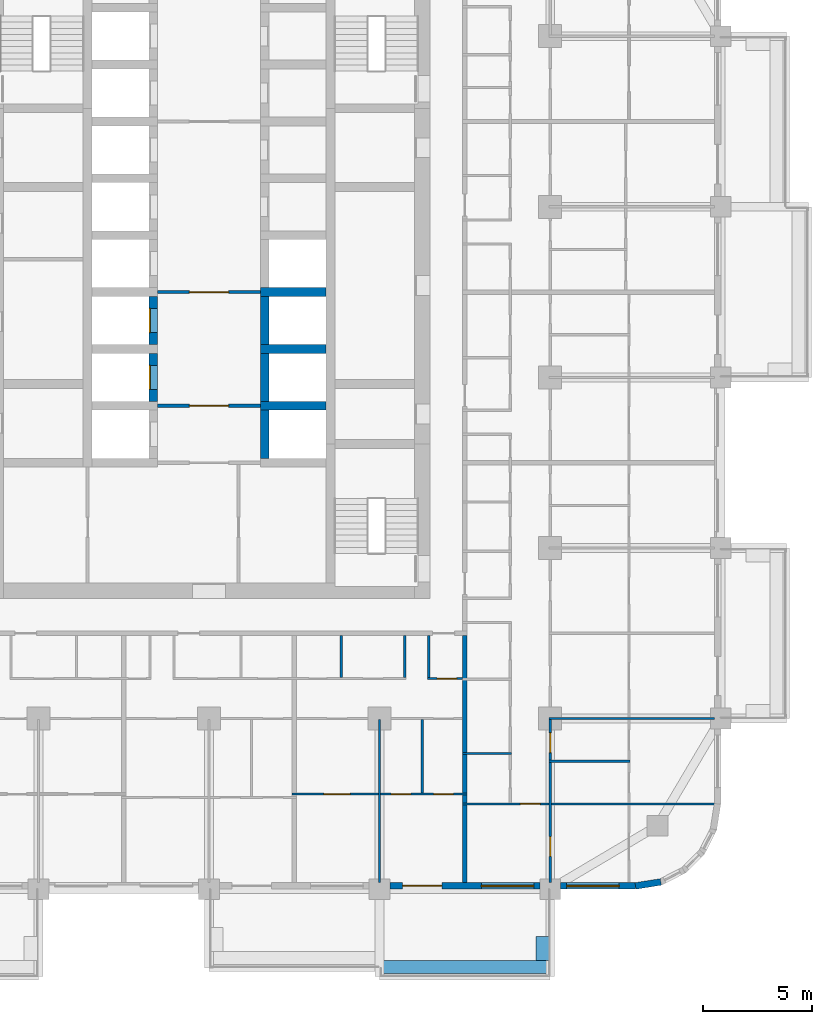
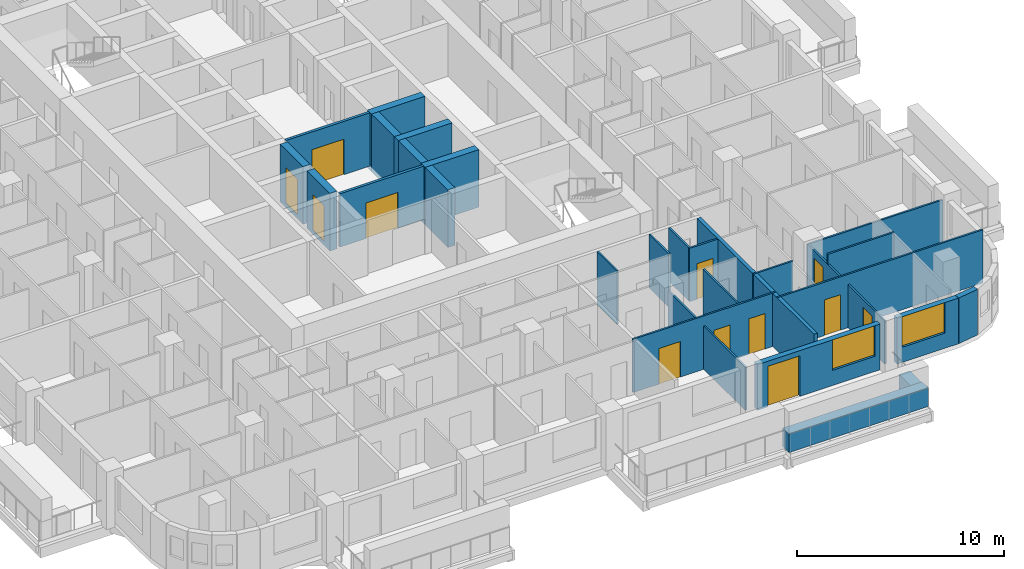
# One storey, part 7 of 18: 28 walls, 12 doors, 2 windows, 14 openings.
"""IFC4 building model written with IfcOpenShell, lengths in metres."""

from ifc_helpers import new_model, si_unit, direction, frame, frame_2d, origin, place, context, subcontext, project, spatial, rectangle, extrude, material, layer, layer_set, type_object, element, fill, save


model = new_model("IFC4")

# Units and contexts
model_context = context("Model", 3, precision=1e-05, world=origin(), true_north=direction((0.0, 1.0)))
body_context = subcontext(model_context, "Body", "Model", "MODEL_VIEW")
ifc_project = project(units=[si_unit("LENGTHUNIT", "METRE"), si_unit("AREAUNIT", "SQUARE_METRE"), si_unit("VOLUMEUNIT", "CUBIC_METRE"), si_unit("PLANEANGLEUNIT", "RADIAN"), si_unit("MASSUNIT", "GRAM", prefix="KILO")], contexts=[model_context])

# Site, building, storey
site_placement = place(None, origin())
site = spatial("IfcSite", under=ifc_project, at=site_placement, CompositionType="ELEMENT")
building_placement = place(site_placement, origin())
building = spatial("IfcBuilding", under=site, at=building_placement, Name="Ludao Terraces", CompositionType="ELEMENT")
storey_placement = place(building_placement, frame((0.0, 0.0, 78.39990234375)))
storey = spatial("IfcBuildingStorey", under=building, at=storey_placement, Name="L21", CompositionType="ELEMENT", Elevation=78.39990234375)

# Walls
ifc_material_1 = material(Name="Concrete C40", Category="concrete")
ifc_layer_1 = layer(ifc_material_1, 0.60009765625)
ifc_layer_set_1 = layer_set([ifc_layer_1], Name="ENV Planter trough 600")
wall_type_1 = type_object("IfcWallType", Name="ENV Planter trough 600", PredefinedType="USERDEFINED", material=ifc_layer_set_1)
wall_1_placement = place(storey_placement, frame((92.800048828125, 38.050048828125, 0.0), z_axis=(0.0, 0.0, 1.0), x_axis=(1.0, 0.0, 0.0)))
element("IfcWall", 1, at=wall_1_placement, inside=storey, type_object=wall_type_1, Name="PL-L21-S4", ObjectType="PLANTER", PredefinedType="USERDEFINED", context=body_context, shape_type="SweptSolid", body=[
    extrude(rectangle(XDim=7.800048828125, YDim=0.60009765625, at=frame_2d((3.89990234375, 0.0))), origin(), (0.0, 0.0, 1.0), 1.10009765625),
])
wall_2_placement = place(storey_placement, frame((100.25, 38.35009765625, 0.0), z_axis=(0.0, 0.0, 1.0), x_axis=(0.0, 1.0, 0.0)))
element("IfcWall", 2, at=wall_2_placement, inside=storey, type_object=wall_type_1, Name="PL-L21-S4-SB", ObjectType="PLANTER", PredefinedType="USERDEFINED", context=body_context, shape_type="SweptSolid", body=[
    extrude(rectangle(XDim=1.099853515625, YDim=0.60009765625, at=frame_2d((0.5498046875, 0.0))), origin(), (0.0, 0.0, 1.0), 1.10009765625),
])

# Wall, openings, door, window
ifc_material_2 = material(Name="Granite cladding", Category="masonry")
ifc_layer_2 = layer(ifc_material_2, 0.0400390625, Category="stone")
ifc_material_3 = material(Name="Mineral wool")
ifc_layer_3 = layer(ifc_material_3, 0.06005859375)
ifc_layer_4 = layer(ifc_material_1, 0.199951171875, Category="concrete")
ifc_layer_set_2 = layer_set([ifc_layer_2, ifc_layer_3, ifc_layer_4], Name="ENV Stone-clad wall 300")
wall_type_2 = type_object("IfcWallType", Name="ENV Stone-clad wall 300", PredefinedType="SOLIDWALL", material=ifc_layer_set_2)
wall_3_placement = place(storey_placement, frame((93.27490234375, 41.75, 0.0), z_axis=(0.0, 0.0, 1.0), x_axis=(1.0, 0.0, 0.0)))
wall_3 = element("IfcWall", 3, at=wall_3_placement, inside=storey, type_object=wall_type_2, Name="EW-L21-S5", PredefinedType="SOLIDWALL", context=body_context, shape_type="SweptSolid", body=[
    extrude(rectangle(XDim=6.85009765625, YDim=0.300048828125, at=frame_2d((3.425048828125, 0.0))), origin(), (0.0, 0.0, 1.0), 2.7001953125),
])
opening_1_placement = place(wall_3_placement, frame((0.574951171875, 0.0, 0.0)))
opening_1 = element("IfcOpeningElement", 4, at=opening_1_placement, cuts=wall_3, Name="Opening BD", PredefinedType="OPENING", context=body_context, shape_type="SweptSolid", body=[
    extrude(rectangle(XDim=1.800048828125, YDim=2.39990234375, at=frame_2d((0.89990234375, 1.199951171875))), frame((0.0, 0.16015625, 0.0), z_axis=(0.0, -1.0, 0.0), x_axis=(1.0, 0.0, 0.0)), (0.0, 0.0, 1.0), 0.320068359375),
])
opening_2_placement = place(wall_3_placement, frame((4.175048828125, 0.0, 0.89990234375)))
opening_2 = element("IfcOpeningElement", 5, at=opening_2_placement, cuts=wall_3, Name="Opening W1", PredefinedType="OPENING", context=body_context, shape_type="SweptSolid", body=[
    extrude(rectangle(XDim=2.39990234375, YDim=1.800048828125, at=frame_2d((1.199951171875, 0.89990234375))), frame((0.0, 0.16015625, 0.0), z_axis=(0.0, -1.0, 0.0), x_axis=(1.0, 0.0, 0.0)), (0.0, 0.0, 1.0), 0.320068359375),
])
ifc_material_4 = material(Name="Aluminium glazed door", Category="aluminium")
ifc_layer_5 = layer(ifc_material_4, 0.06005859375)
ifc_layer_set_3 = layer_set([ifc_layer_5], Name="ENV Balcony door BD 1800x2400")
door_type_1 = type_object("IfcDoorType", Name="ENV Balcony door BD 1800x2400", OperationType="DOUBLE_DOOR_SINGLE_SWING", PredefinedType="DOOR", material=ifc_layer_set_3)
door_1_placement = place(opening_1_placement, origin())
door_1 = element("IfcDoor", 6, at=door_1_placement, inside=storey, type_object=door_type_1, Name="BD-L21-S5-1", OperationType="DOUBLE_DOOR_SINGLE_SWING", OverallHeight=2.39990234375, OverallWidth=1.800048828125, PredefinedType="DOOR", context=body_context, shape_type="SweptSolid", body=[
    extrude(rectangle(XDim=1.800048828125, YDim=2.39990234375, at=frame_2d((0.89990234375, 1.199951171875))), frame((0.0, 0.02490234375, 0.0), z_axis=(0.0, -1.0, 0.0), x_axis=(1.0, 0.0, 0.0)), (0.0, 0.0, 1.0), 0.050048828125),
])
fill(opening_1, door_1)
ifc_material_5 = material(Name="Clear glass in aluminium frame", Category="aluminium")
ifc_layer_6 = layer(ifc_material_5, 0.06005859375)
ifc_layer_set_4 = layer_set([ifc_layer_6], Name="ENV Window W1 2400x1800")
window_type = type_object("IfcWindowType", Name="ENV Window W1 2400x1800", PartitioningType="DOUBLE_PANEL_VERTICAL", PredefinedType="WINDOW", material=ifc_layer_set_4)
window_1_placement = place(opening_2_placement, origin())
window_1 = element("IfcWindow", 7, at=window_1_placement, inside=storey, type_object=window_type, Name="W-L21-S5-2", OverallHeight=1.800048828125, OverallWidth=2.39990234375, PartitioningType="DOUBLE_PANEL_VERTICAL", PredefinedType="WINDOW", context=body_context, shape_type="SweptSolid", body=[
    extrude(rectangle(XDim=2.39990234375, YDim=1.800048828125, at=frame_2d((1.199951171875, 0.89990234375))), frame((0.0, 0.030029296875, 0.0), z_axis=(0.0, -1.0, 0.0), x_axis=(1.0, 0.0, 0.0)), (0.0, 0.0, 1.0), 0.06005859375),
])
fill(opening_2, window_1)

# Wall, opening, window
wall_4_placement = place(storey_placement, frame((101.074951171875, 41.75, 0.0), z_axis=(0.0, 0.0, 1.0), x_axis=(1.0, 0.0, 0.0)))
wall_4 = element("IfcWall", 8, at=wall_4_placement, inside=storey, type_object=wall_type_2, Name="EW-L21-S6", PredefinedType="SOLIDWALL", context=body_context, shape_type="SweptSolid", body=[
    extrude(rectangle(XDim=3.425048828125, YDim=0.300048828125, at=frame_2d((1.71240234375, 0.0))), origin(), (0.0, 0.0, 1.0), 2.7001953125),
])
opening_3_placement = place(wall_4_placement, frame((0.27490234375, 0.0, 0.89990234375)))
opening_3 = element("IfcOpeningElement", 9, at=opening_3_placement, cuts=wall_4, Name="Opening W1", PredefinedType="OPENING", context=body_context, shape_type="SweptSolid", body=[
    extrude(rectangle(XDim=2.39990234375, YDim=1.800048828125, at=frame_2d((1.199951171875, 0.89990234375))), frame((0.0, 0.16015625, 0.0), z_axis=(0.0, -1.0, 0.0), x_axis=(1.0, 0.0, 0.0)), (0.0, 0.0, 1.0), 0.320068359375),
])
window_2_placement = place(opening_3_placement, origin())
window_2 = element("IfcWindow", 10, at=window_2_placement, inside=storey, type_object=window_type, Name="W-L21-S6-1", OverallHeight=1.800048828125, OverallWidth=2.39990234375, PartitioningType="DOUBLE_PANEL_VERTICAL", PredefinedType="WINDOW", context=body_context, shape_type="SweptSolid", body=[
    extrude(rectangle(XDim=2.39990234375, YDim=1.800048828125, at=frame_2d((1.199951171875, 0.89990234375))), frame((0.0, 0.030029296875, 0.0), z_axis=(0.0, -1.0, 0.0), x_axis=(1.0, 0.0, 0.0)), (0.0, 0.0, 1.0), 0.06005859375),
])
fill(opening_3, window_2)

# Wall
wall_5_placement = place(storey_placement, frame((104.5, 41.75, 0.0), z_axis=(0.0, 0.0, 1.0), x_axis=(0.987678452879, 0.156496880861, 0.0)))
element("IfcWall", 11, at=wall_5_placement, inside=storey, type_object=wall_type_2, Name="EW-L21-SE1", PredefinedType="SOLIDWALL", context=body_context, shape_type="SweptSolid", body=[
    extrude(rectangle(XDim=1.173095703125, YDim=0.300048828125, at=frame_2d((0.58642578125, 0.0))), origin(), (0.0, 0.0, 1.0), 2.7001953125),
])

# Wall, opening, door
ifc_material_6 = material(Name="Fire-rated gypsum plasterboard", Category="gypsum")
ifc_layer_7 = layer(ifc_material_6, 0.012451171875, Category="gypsum")
ifc_layer_8 = layer(ifc_material_3, 0.10009765625, Name="insulation")
ifc_material_7 = material(Name="Steel Q235", Category="steel")
ifc_layer_9 = layer(ifc_material_7, 0.02490234375, Name="stud")
ifc_layer_10 = layer(ifc_material_6, 0.012451171875, Category="gypsum")
ifc_layer_set_5 = layer_set([ifc_layer_7, ifc_layer_8, ifc_layer_9, ifc_layer_10], Name="INT Core partition 150")
wall_type_3 = type_object("IfcWallType", Name="INT Core partition 150", PredefinedType="PARTITIONING", material=ifc_layer_set_5)
wall_6_placement = place(storey_placement, frame((82.650146484375, 63.699951171875, 0.0), z_axis=(0.0, 0.0, 1.0), x_axis=(1.0, 0.0, 0.0)))
wall_6 = element("IfcWall", 12, at=wall_6_placement, inside=storey, type_object=wall_type_3, Name="PW-L21-PW039", PredefinedType="PARTITIONING", context=body_context, shape_type="SweptSolid", body=[
    extrude(rectangle(XDim=4.699951171875, YDim=0.14990234375, at=frame_2d((2.35009765625, 0.0))), origin(), (0.0, 0.0, 1.0), 3.150146484375),
])
opening_4_placement = place(wall_6_placement, frame((1.449951171875, 0.0, 0.0)))
opening_4 = element("IfcOpeningElement", 13, at=opening_4_placement, cuts=wall_6, Name="Opening R06-082", PredefinedType="OPENING", context=body_context, shape_type="SweptSolid", body=[
    extrude(rectangle(XDim=1.800048828125, YDim=2.10009765625, at=frame_2d((0.89990234375, 1.050048828125))), frame((0.0, 0.0849609375, 0.0), z_axis=(0.0, -1.0, 0.0), x_axis=(1.0, 0.0, 0.0)), (0.0, 0.0, 1.0), 0.169921875),
])
door_type_2 = type_object("IfcDoorType", Name="INT Fire lobby door 1800", OperationType="DOUBLE_DOOR_SINGLE_SWING", PredefinedType="DOOR", material=ifc_material_7)
door_2_placement = place(opening_4_placement, origin())
door_2 = element("IfcDoor", 14, at=door_2_placement, inside=storey, type_object=door_type_2, Name="DOOR 082", OperationType="DOUBLE_DOOR_SINGLE_SWING", OverallHeight=2.10009765625, OverallWidth=1.800048828125, PredefinedType="DOOR", context=body_context, shape_type="SweptSolid", body=[
    extrude(rectangle(XDim=1.800048828125, YDim=2.10009765625, at=frame_2d((0.89990234375, 1.050048828125))), frame((0.0, 0.02490234375, 0.0), z_axis=(0.0, -1.0, 0.0), x_axis=(1.0, 0.0, 0.0)), (0.0, 0.0, 1.0), 0.050048828125),
])
fill(opening_4, door_2)

wall_7_placement = place(storey_placement, frame((82.650146484375, 68.89990234375, 0.0), z_axis=(0.0, 0.0, 1.0), x_axis=(1.0, 0.0, 0.0)))
wall_7 = element("IfcWall", 15, at=wall_7_placement, inside=storey, type_object=wall_type_3, Name="PW-L21-PW048", PredefinedType="PARTITIONING", context=body_context, shape_type="SweptSolid", body=[
    extrude(rectangle(XDim=4.699951171875, YDim=0.14990234375, at=frame_2d((2.35009765625, 0.0))), origin(), (0.0, 0.0, 1.0), 3.150146484375),
])
opening_5_placement = place(wall_7_placement, frame((1.449951171875, 0.0, 0.0)))
opening_5 = element("IfcOpeningElement", 16, at=opening_5_placement, cuts=wall_7, Name="Opening R06-098", PredefinedType="OPENING", context=body_context, shape_type="SweptSolid", body=[
    extrude(rectangle(XDim=1.800048828125, YDim=2.10009765625, at=frame_2d((0.89990234375, 1.050048828125))), frame((0.0, 0.0849609375, 0.0), z_axis=(0.0, -1.0, 0.0), x_axis=(1.0, 0.0, 0.0)), (0.0, 0.0, 1.0), 0.169921875),
])
door_3_placement = place(opening_5_placement, origin())
door_3 = element("IfcDoor", 17, at=door_3_placement, inside=storey, type_object=door_type_2, Name="DOOR 098", OperationType="DOUBLE_DOOR_SINGLE_SWING", OverallHeight=2.10009765625, OverallWidth=1.800048828125, PredefinedType="DOOR", context=body_context, shape_type="SweptSolid", body=[
    extrude(rectangle(XDim=1.800048828125, YDim=2.10009765625, at=frame_2d((0.89990234375, 1.050048828125))), frame((0.0, 0.02490234375, 0.0), z_axis=(0.0, -1.0, 0.0), x_axis=(1.0, 0.0, 0.0)), (0.0, 0.0, 1.0), 0.050048828125),
])
fill(opening_5, door_3)

ifc_material_8 = material(Name="Gypsum plasterboard", Category="gypsum")
ifc_layer_11 = layer(ifc_material_8, 0.012451171875, Category="gypsum")
ifc_layer_12 = layer(ifc_material_3, 0.06005859375, Name="insulation")
ifc_layer_13 = layer(ifc_material_7, 0.014892578125, Name="stud")
ifc_layer_14 = layer(ifc_material_8, 0.012451171875, Category="gypsum")
ifc_layer_set_6 = layer_set([ifc_layer_11, ifc_layer_12, ifc_layer_13, ifc_layer_14], Name="INT Partition 100")
wall_type_4 = type_object("IfcWallType", Name="INT Partition 100", PredefinedType="PARTITIONING", material=ifc_layer_set_6)
wall_8_placement = place(storey_placement, frame((96.60009765625, 45.5, 0.0), z_axis=(0.0, 0.0, 1.0), x_axis=(1.0, 0.0, 0.0)))
wall_8 = element("IfcWall", 18, at=wall_8_placement, inside=storey, type_object=wall_type_4, Name="PW-L21-PW001", PredefinedType="PARTITIONING", context=body_context, shape_type="SweptSolid", body=[
    extrude(rectangle(XDim=11.5, YDim=0.10009765625, at=frame_2d((5.75, 0.0))), origin(), (0.0, 0.0, 1.0), 3.150146484375),
])
opening_6_placement = place(wall_8_placement, frame((2.635009765625, 0.0, 0.0)))
opening_6 = element("IfcOpeningElement", 19, at=opening_6_placement, cuts=wall_8, Name="Opening R06-006", PredefinedType="OPENING", context=body_context, shape_type="SweptSolid", body=[
    extrude(rectangle(XDim=0.89990234375, YDim=2.10009765625, at=frame_2d((0.449951171875, 1.050048828125))), frame((0.0, 0.06005859375, 0.0), z_axis=(0.0, -1.0, 0.0), x_axis=(1.0, 0.0, 0.0)), (0.0, 0.0, 1.0), 0.1201171875),
])
ifc_material_9 = material(Name="Timber door leaf", Category="wood")
door_type_3 = type_object("IfcDoorType", Name="INT Room door 900", OperationType="SINGLE_SWING_LEFT", PredefinedType="DOOR", material=ifc_material_9)
door_4_placement = place(opening_6_placement, origin())
door_4 = element("IfcDoor", 20, at=door_4_placement, inside=storey, type_object=door_type_3, Name="DOOR 006", OperationType="SINGLE_SWING_RIGHT", OverallHeight=2.10009765625, OverallWidth=0.89990234375, PredefinedType="DOOR", context=body_context, shape_type="SweptSolid", body=[
    extrude(rectangle(XDim=0.89990234375, YDim=2.10009765625, at=frame_2d((0.449951171875, 1.050048828125))), frame((0.0, 0.02490234375, 0.0), z_axis=(0.0, -1.0, 0.0), x_axis=(1.0, 0.0, 0.0)), (0.0, 0.0, 1.0), 0.050048828125),
])
fill(opening_6, door_4)

# Wall, openings, doors
wall_9_placement = place(storey_placement, frame((88.800048828125, 45.949951171875, 0.0), z_axis=(0.0, 0.0, 1.0), x_axis=(1.0, 0.0, 0.0)))
wall_9 = element("IfcWall", 21, at=wall_9_placement, inside=storey, type_object=wall_type_4, Name="PW-L21-PW004", PredefinedType="PARTITIONING", context=body_context, shape_type="SweptSolid", body=[
    extrude(rectangle(XDim=8.0, YDim=0.10009765625, at=frame_2d((4.0, 0.0))), origin(), (0.0, 0.0, 1.0), 3.150146484375),
])
opening_7_placement = place(wall_9_placement, frame((1.449951171875, 0.0, 0.0)))
opening_7 = element("IfcOpeningElement", 22, at=opening_7_placement, cuts=wall_9, Name="Opening R06-013", PredefinedType="OPENING", context=body_context, shape_type="SweptSolid", body=[
    extrude(rectangle(XDim=1.199951171875, YDim=2.10009765625, at=frame_2d((0.60009765625, 1.050048828125))), frame((0.0, 0.06005859375, 0.0), z_axis=(0.0, -1.0, 0.0), x_axis=(1.0, 0.0, 0.0)), (0.0, 0.0, 1.0), 0.1201171875),
])
opening_8_placement = place(wall_9_placement, frame((4.52490234375, 0.0, 0.0)))
opening_8 = element("IfcOpeningElement", 23, at=opening_8_placement, cuts=wall_9, Name="Opening R06-014", PredefinedType="OPENING", context=body_context, shape_type="SweptSolid", body=[
    extrude(rectangle(XDim=0.89990234375, YDim=2.10009765625, at=frame_2d((0.449951171875, 1.050048828125))), frame((0.0, 0.06005859375, 0.0), z_axis=(0.0, -1.0, 0.0), x_axis=(1.0, 0.0, 0.0)), (0.0, 0.0, 1.0), 0.1201171875),
])
opening_9_placement = place(wall_9_placement, frame((6.47509765625, 0.0, 0.0)))
opening_9 = element("IfcOpeningElement", 24, at=opening_9_placement, cuts=wall_9, Name="Opening R06-015", PredefinedType="OPENING", context=body_context, shape_type="SweptSolid", body=[
    extrude(rectangle(XDim=0.89990234375, YDim=2.10009765625, at=frame_2d((0.449951171875, 1.050048828125))), frame((0.0, 0.06005859375, 0.0), z_axis=(0.0, -1.0, 0.0), x_axis=(1.0, 0.0, 0.0)), (0.0, 0.0, 1.0), 0.1201171875),
])
door_type_4 = type_object("IfcDoorType", Name="INT Bathroom door 900", OperationType="SINGLE_SWING_LEFT", PredefinedType="DOOR", material=ifc_material_9)
door_5_placement = place(opening_8_placement, origin())
door_5 = element("IfcDoor", 25, at=door_5_placement, inside=storey, type_object=door_type_4, Name="DOOR 014", OperationType="SINGLE_SWING_LEFT", OverallHeight=2.10009765625, OverallWidth=0.89990234375, PredefinedType="DOOR", context=body_context, shape_type="SweptSolid", body=[
    extrude(rectangle(XDim=0.89990234375, YDim=2.10009765625, at=frame_2d((0.449951171875, 1.050048828125))), frame((0.0, 0.02490234375, 0.0), z_axis=(0.0, -1.0, 0.0), x_axis=(1.0, 0.0, 0.0)), (0.0, 0.0, 1.0), 0.050048828125),
])
fill(opening_8, door_5)
door_type_5 = type_object("IfcDoorType", Name="INT Double door 1200", OperationType="DOUBLE_DOOR_SINGLE_SWING", PredefinedType="DOOR", material=ifc_material_9)
door_6_placement = place(opening_7_placement, origin())
door_6 = element("IfcDoor", 26, at=door_6_placement, inside=storey, type_object=door_type_5, Name="DOOR 013", OperationType="DOUBLE_DOOR_SINGLE_SWING", OverallHeight=2.10009765625, OverallWidth=1.199951171875, PredefinedType="DOOR", context=body_context, shape_type="SweptSolid", body=[
    extrude(rectangle(XDim=1.199951171875, YDim=2.10009765625, at=frame_2d((0.60009765625, 1.050048828125))), frame((0.0, 0.02490234375, 0.0), z_axis=(0.0, -1.0, 0.0), x_axis=(1.0, 0.0, 0.0)), (0.0, 0.0, 1.0), 0.050048828125),
])
fill(opening_7, door_6)
door_7_placement = place(opening_9_placement, origin())
door_7 = element("IfcDoor", 27, at=door_7_placement, inside=storey, type_object=door_type_3, Name="DOOR 015", OperationType="SINGLE_SWING_RIGHT", OverallHeight=2.10009765625, OverallWidth=0.89990234375, PredefinedType="DOOR", context=body_context, shape_type="SweptSolid", body=[
    extrude(rectangle(XDim=0.89990234375, YDim=2.10009765625, at=frame_2d((0.449951171875, 1.050048828125))), frame((0.0, 0.02490234375, 0.0), z_axis=(0.0, -1.0, 0.0), x_axis=(1.0, 0.0, 0.0)), (0.0, 0.0, 1.0), 0.050048828125),
])
fill(opening_9, door_7)

# Walls
wall_10_placement = place(storey_placement, frame((100.550048828125, 47.449951171875, 0.0), z_axis=(0.0, 0.0, 1.0), x_axis=(1.0, 0.0, 0.0)))
element("IfcWall", 28, at=wall_10_placement, inside=storey, type_object=wall_type_4, Name="PW-L21-PW005", PredefinedType="PARTITIONING", context=body_context, shape_type="SweptSolid", body=[
    extrude(rectangle(XDim=3.699951171875, YDim=0.10009765625, at=frame_2d((1.85009765625, 0.0))), origin(), (0.0, 0.0, 1.0), 3.150146484375),
])
wall_11_placement = place(storey_placement, frame((96.60009765625, 47.800048828125, 0.0), z_axis=(0.0, 0.0, 1.0), x_axis=(1.0, 0.0, 0.0)))
element("IfcWall", 29, at=wall_11_placement, inside=storey, type_object=wall_type_4, Name="PW-L21-PW007", PredefinedType="PARTITIONING", context=body_context, shape_type="SweptSolid", body=[
    extrude(rectangle(XDim=2.219970703125, YDim=0.10009765625, at=frame_2d((1.10986328125, 0.0))), origin(), (0.0, 0.0, 1.0), 3.150146484375),
])
wall_12_placement = place(storey_placement, frame((100.550048828125, 49.39990234375, 0.0), z_axis=(0.0, 0.0, 1.0), x_axis=(1.0, 0.0, 0.0)))
element("IfcWall", 30, at=wall_12_placement, inside=storey, type_object=wall_type_4, Name="PW-L21-PW010", PredefinedType="PARTITIONING", context=body_context, shape_type="SweptSolid", body=[
    extrude(rectangle(XDim=7.550048828125, YDim=0.10009765625, at=frame_2d((3.77490234375, 0.0))), origin(), (0.0, 0.0, 1.0), 2.550048828125),
])

# Wall, opening, door
wall_13_placement = place(storey_placement, frame((95.0, 51.22998046875, 0.0), z_axis=(0.0, 0.0, 1.0), x_axis=(1.0, 0.0, 0.0)))
wall_13 = element("IfcWall", 31, at=wall_13_placement, inside=storey, type_object=wall_type_4, Name="PW-L21-PW016", PredefinedType="PARTITIONING", context=body_context, shape_type="SweptSolid", body=[
    extrude(rectangle(XDim=1.60009765625, YDim=0.10009765625, at=frame_2d((0.800048828125, 0.0))), origin(), (0.0, 0.0, 1.0), 3.150146484375),
])
opening_10_placement = place(wall_13_placement, frame((0.425048828125, 0.0, 0.0)))
opening_10 = element("IfcOpeningElement", 32, at=opening_10_placement, cuts=wall_13, Name="Opening R06-041", PredefinedType="OPENING", context=body_context, shape_type="SweptSolid", body=[
    extrude(rectangle(XDim=0.89990234375, YDim=2.10009765625, at=frame_2d((0.449951171875, 1.050048828125))), frame((0.0, 0.06005859375, 0.0), z_axis=(0.0, -1.0, 0.0), x_axis=(1.0, 0.0, 0.0)), (0.0, 0.0, 1.0), 0.1201171875),
])
door_8_placement = place(opening_10_placement, origin())
door_8 = element("IfcDoor", 33, at=door_8_placement, inside=storey, type_object=door_type_4, Name="DOOR 041", OperationType="SINGLE_SWING_LEFT", OverallHeight=2.10009765625, OverallWidth=0.89990234375, PredefinedType="DOOR", context=body_context, shape_type="SweptSolid", body=[
    extrude(rectangle(XDim=0.89990234375, YDim=2.10009765625, at=frame_2d((0.449951171875, 1.050048828125))), frame((0.0, 0.02490234375, 0.0), z_axis=(0.0, -1.0, 0.0), x_axis=(1.0, 0.0, 0.0)), (0.0, 0.0, 1.0), 0.050048828125),
])
fill(opening_10, door_8)

# Walls
wall_14_placement = place(storey_placement, frame((91.050048828125, 51.280029296875, 0.0), z_axis=(0.0, 0.0, 1.0), x_axis=(0.0, 1.0, 0.0)))
element("IfcWall", 34, at=wall_14_placement, inside=storey, type_object=wall_type_4, Name="PW-L21-PW109", PredefinedType="PARTITIONING", context=body_context, shape_type="SweptSolid", body=[
    extrude(rectangle(XDim=1.920166015625, YDim=0.10009765625, at=frame_2d((0.9599609375, 0.0))), origin(), (0.0, 0.0, 1.0), 3.150146484375),
])
wall_15_placement = place(storey_placement, frame((92.800048828125, 41.900146484375, 0.0), z_axis=(0.0, 0.0, 1.0), x_axis=(0.0, 1.0, 0.0)))
element("IfcWall", 35, at=wall_15_placement, inside=storey, type_object=wall_type_4, Name="PW-L21-PW110", PredefinedType="PARTITIONING", context=body_context, shape_type="SweptSolid", body=[
    extrude(rectangle(XDim=7.449951171875, YDim=0.10009765625, at=frame_2d((3.72509765625, 0.0))), origin(), (0.0, 0.0, 1.0), 2.550048828125),
])
wall_16_placement = place(storey_placement, frame((93.949951171875, 51.280029296875, 0.0), z_axis=(0.0, 0.0, 1.0), x_axis=(0.0, 1.0, 0.0)))
element("IfcWall", 36, at=wall_16_placement, inside=storey, type_object=wall_type_4, Name="PW-L21-PW112", PredefinedType="PARTITIONING", context=body_context, shape_type="SweptSolid", body=[
    extrude(rectangle(XDim=1.920166015625, YDim=0.10009765625, at=frame_2d((0.9599609375, 0.0))), origin(), (0.0, 0.0, 1.0), 3.150146484375),
])
wall_17_placement = place(storey_placement, frame((94.75, 46.0, 0.0), z_axis=(0.0, 0.0, 1.0), x_axis=(0.0, 1.0, 0.0)))
element("IfcWall", 37, at=wall_17_placement, inside=storey, type_object=wall_type_4, Name="PW-L21-PW113", PredefinedType="PARTITIONING", context=body_context, shape_type="SweptSolid", body=[
    extrude(rectangle(XDim=3.35009765625, YDim=0.10009765625, at=frame_2d((1.675048828125, 0.0))), origin(), (0.0, 0.0, 1.0), 3.150146484375),
])
wall_18_placement = place(storey_placement, frame((95.050048828125, 51.280029296875, 0.0), z_axis=(0.0, 0.0, 1.0), x_axis=(0.0, 1.0, 0.0)))
element("IfcWall", 38, at=wall_18_placement, inside=storey, type_object=wall_type_4, Name="PW-L21-PW114", PredefinedType="PARTITIONING", context=body_context, shape_type="SweptSolid", body=[
    extrude(rectangle(XDim=1.920166015625, YDim=0.10009765625, at=frame_2d((0.9599609375, 0.0))), origin(), (0.0, 0.0, 1.0), 3.150146484375),
])

# Wall, openings, doors
wall_19_placement = place(storey_placement, frame((100.60009765625, 41.900146484375, 0.0), z_axis=(0.0, 0.0, 1.0), x_axis=(0.0, 1.0, 0.0)))
wall_19 = element("IfcWall", 39, at=wall_19_placement, inside=storey, type_object=wall_type_4, Name="PW-L21-PW123", PredefinedType="PARTITIONING", context=body_context, shape_type="SweptSolid", body=[
    extrude(rectangle(XDim=7.499755859375, YDim=0.10009765625, at=frame_2d((3.75, 0.0))), origin(), (0.0, 0.0, 1.0), 2.550048828125),
])
opening_11_placement = place(wall_19_placement, frame((1.199951171875, 0.0, 0.0)))
opening_11 = element("IfcOpeningElement", 40, at=opening_11_placement, cuts=wall_19, Name="Opening R06-003", PredefinedType="OPENING", context=body_context, shape_type="SweptSolid", body=[
    extrude(rectangle(XDim=0.89990234375, YDim=2.10009765625, at=frame_2d((0.449951171875, 1.050048828125))), frame((0.0, 0.06005859375, 0.0), z_axis=(0.0, -1.0, 0.0), x_axis=(1.0, 0.0, 0.0)), (0.0, 0.0, 1.0), 0.1201171875),
])
opening_12_placement = place(wall_19_placement, frame((5.949951171875, 0.0, 0.0)))
opening_12 = element("IfcOpeningElement", 41, at=opening_12_placement, cuts=wall_19, Name="Opening R06-021", PredefinedType="OPENING", context=body_context, shape_type="SweptSolid", body=[
    extrude(rectangle(XDim=0.89990234375, YDim=2.10009765625, at=frame_2d((0.449951171875, 1.050048828125))), frame((0.0, 0.06005859375, 0.0), z_axis=(0.0, -1.0, 0.0), x_axis=(1.0, 0.0, 0.0)), (0.0, 0.0, 1.0), 0.1201171875),
])
door_9_placement = place(opening_11_placement, origin())
door_9 = element("IfcDoor", 42, at=door_9_placement, inside=storey, type_object=door_type_3, Name="DOOR 003", OperationType="SINGLE_SWING_RIGHT", OverallHeight=2.10009765625, OverallWidth=0.89990234375, PredefinedType="DOOR", context=body_context, shape_type="SweptSolid", body=[
    extrude(rectangle(XDim=0.89990234375, YDim=2.10009765625, at=frame_2d((0.449951171875, 1.050048828125))), frame((0.0, 0.02490234375, 0.0), z_axis=(0.0, -1.0, 0.0), x_axis=(1.0, 0.0, 0.0)), (0.0, 0.0, 1.0), 0.050048828125),
])
fill(opening_11, door_9)
door_10_placement = place(opening_12_placement, origin())
door_10 = element("IfcDoor", 43, at=door_10_placement, inside=storey, type_object=door_type_3, Name="DOOR 021", OperationType="SINGLE_SWING_RIGHT", OverallHeight=2.10009765625, OverallWidth=0.89990234375, PredefinedType="DOOR", context=body_context, shape_type="SweptSolid", body=[
    extrude(rectangle(XDim=0.89990234375, YDim=2.10009765625, at=frame_2d((0.449951171875, 1.050048828125))), frame((0.0, 0.02490234375, 0.0), z_axis=(0.0, -1.0, 0.0), x_axis=(1.0, 0.0, 0.0)), (0.0, 0.0, 1.0), 0.050048828125),
])
fill(opening_12, door_10)

# Wall
ifc_material_10 = material(Name="Autoclaved aerated concrete block B06 A3.5", Category="concrete")
ifc_layer_15 = layer(ifc_material_10, 0.199951171875)
ifc_layer_set_7 = layer_set([ifc_layer_15], Name="INT Party wall 200")
wall_type_5 = type_object("IfcWallType", Name="INT Party wall 200", PredefinedType="PARTITIONING", material=ifc_layer_set_7)
wall_20_placement = place(storey_placement, frame((96.699951171875, 41.900146484375, 0.0), z_axis=(0.0, 0.0, 1.0), x_axis=(0.0, 1.0, 0.0)))
element("IfcWall", 44, at=wall_20_placement, inside=storey, type_object=wall_type_5, Name="PW-L21-PW115", PredefinedType="PARTITIONING", context=body_context, shape_type="SweptSolid", body=[
    extrude(rectangle(XDim=11.300048828125, YDim=0.199951171875, at=frame_2d((5.64990234375, 0.0))), origin(), (0.0, 0.0, 1.0), 3.150146484375),
])

# Wall, opening, door
ifc_material_11 = material(Name="Concrete C60", Category="concrete")
ifc_layer_16 = layer(ifc_material_11, 0.39990234375)
ifc_layer_set_8 = layer_set([ifc_layer_16], Name="Shaft wall 400 C60")
wall_type_6 = type_object("IfcWallType", Name="Shaft wall 400 C60", PredefinedType="SOLIDWALL", material=ifc_layer_set_8)
wall_21_placement = place(storey_placement, frame((82.449951171875, 63.89990234375, -0.25), z_axis=(0.0, 0.0, 1.0), x_axis=(0.0, 1.0, 0.0)))
wall_21 = element("IfcWall", 45, at=wall_21_placement, inside=storey, type_object=wall_type_6, Name="Core wall L21 front-W2", PredefinedType="SOLIDWALL", context=body_context, shape_type="SweptSolid", body=[
    extrude(rectangle(XDim=2.2001953125, YDim=0.39990234375, at=frame_2d((1.10009765625, 0.0))), origin(), (0.0, 0.0, 1.0), 3.400146484375),
])
opening_13_placement = place(wall_21_placement, frame((0.550048828125, 0.0, 0.25)))
opening_13 = element("IfcOpeningElement", 46, at=opening_13_placement, cuts=wall_21, Name="Opening LD-LA2", PredefinedType="OPENING", context=body_context, shape_type="SweptSolid", body=[
    extrude(rectangle(XDim=1.10009765625, YDim=2.10009765625, at=frame_2d((0.550048828125, 1.050048828125))), frame((0.0, 0.2099609375, 0.0), z_axis=(0.0, -1.0, 0.0), x_axis=(1.0, 0.0, 0.0)), (0.0, 0.0, 1.0), 0.419921875),
])
ifc_material_12 = material(Name="Stainless steel 304", Category="steel")
door_type_6 = type_object("IfcDoorType", Name="INT Lift landing door 1100", OperationType="SLIDING_TO_LEFT", PredefinedType="DOOR", material=ifc_material_12)
door_11_placement = place(opening_13_placement, origin())
door_11 = element("IfcDoor", 47, at=door_11_placement, inside=storey, type_object=door_type_6, Name="LANDING DOOR LA2 L21", OperationType="SLIDING_TO_RIGHT", OverallHeight=2.10009765625, OverallWidth=1.10009765625, PredefinedType="DOOR", context=body_context, shape_type="SweptSolid", body=[
    extrude(rectangle(XDim=1.10009765625, YDim=2.10009765625, at=frame_2d((0.550048828125, 1.050048828125))), frame((0.0, 0.18505859375, 0.0), z_axis=(0.0, -1.0, 0.0), x_axis=(1.0, 0.0, 0.0)), (0.0, 0.0, 1.0), 0.050048828125),
])
fill(opening_13, door_11)

wall_22_placement = place(storey_placement, frame((82.449951171875, 66.5, -0.25), z_axis=(0.0, 0.0, 1.0), x_axis=(0.0, 1.0, 0.0)))
wall_22 = element("IfcWall", 48, at=wall_22_placement, inside=storey, type_object=wall_type_6, Name="Core wall L21 front-W3", PredefinedType="SOLIDWALL", context=body_context, shape_type="SweptSolid", body=[
    extrude(rectangle(XDim=2.199951171875, YDim=0.39990234375, at=frame_2d((1.10009765625, 0.0))), origin(), (0.0, 0.0, 1.0), 3.400146484375),
])
opening_14_placement = place(wall_22_placement, frame((0.550048828125, 0.0, 0.25)))
opening_14 = element("IfcOpeningElement", 49, at=opening_14_placement, cuts=wall_22, Name="Opening LD-LA3", PredefinedType="OPENING", context=body_context, shape_type="SweptSolid", body=[
    extrude(rectangle(XDim=1.10009765625, YDim=2.10009765625, at=frame_2d((0.550048828125, 1.050048828125))), frame((0.0, 0.2099609375, 0.0), z_axis=(0.0, -1.0, 0.0), x_axis=(1.0, 0.0, 0.0)), (0.0, 0.0, 1.0), 0.419921875),
])
door_12_placement = place(opening_14_placement, origin())
door_12 = element("IfcDoor", 50, at=door_12_placement, inside=storey, type_object=door_type_6, Name="LANDING DOOR LA3 L21", OperationType="SLIDING_TO_RIGHT", OverallHeight=2.10009765625, OverallWidth=1.10009765625, PredefinedType="DOOR", context=body_context, shape_type="SweptSolid", body=[
    extrude(rectangle(XDim=1.10009765625, YDim=2.10009765625, at=frame_2d((0.550048828125, 1.050048828125))), frame((0.0, 0.18505859375, 0.0), z_axis=(0.0, -1.0, 0.0), x_axis=(1.0, 0.0, 0.0)), (0.0, 0.0, 1.0), 0.050048828125),
])
fill(opening_14, door_12)

# Walls
wall_23_placement = place(storey_placement, frame((87.550048828125, 61.300048828125, -0.25), z_axis=(0.0, 0.0, 1.0), x_axis=(0.0, 1.0, 0.0)))
element("IfcWall", 51, at=wall_23_placement, inside=storey, type_object=wall_type_6, Name="Core wall L21 front-E1", PredefinedType="SOLIDWALL", context=body_context, shape_type="SweptSolid", body=[
    extrude(rectangle(XDim=2.199951171875, YDim=0.39990234375, at=frame_2d((1.10009765625, 0.0))), origin(), (0.0, 0.0, 1.0), 3.400146484375),
])
wall_24_placement = place(storey_placement, frame((87.35009765625, 63.699951171875, -0.25), z_axis=(0.0, 0.0, 1.0), x_axis=(1.0, 0.0, 0.0)))
element("IfcWall", 52, at=wall_24_placement, inside=storey, type_object=wall_type_6, Name="Core wall L21 div-E2", PredefinedType="SOLIDWALL", context=body_context, shape_type="SweptSolid", body=[
    extrude(rectangle(XDim=3.0, YDim=0.39990234375, at=frame_2d((1.5, 0.0))), origin(), (0.0, 0.0, 1.0), 3.400146484375),
])
wall_25_placement = place(storey_placement, frame((87.550048828125, 63.89990234375, -0.25), z_axis=(0.0, 0.0, 1.0), x_axis=(0.0, 1.0, 0.0)))
element("IfcWall", 53, at=wall_25_placement, inside=storey, type_object=wall_type_6, Name="Core wall L21 front-E2", PredefinedType="SOLIDWALL", context=body_context, shape_type="SweptSolid", body=[
    extrude(rectangle(XDim=2.2001953125, YDim=0.39990234375, at=frame_2d((1.10009765625, 0.0))), origin(), (0.0, 0.0, 1.0), 3.400146484375),
])
wall_26_placement = place(storey_placement, frame((87.35009765625, 66.300048828125, -0.25), z_axis=(0.0, 0.0, 1.0), x_axis=(1.0, 0.0, 0.0)))
element("IfcWall", 54, at=wall_26_placement, inside=storey, type_object=wall_type_6, Name="Core wall L21 div-E3", PredefinedType="SOLIDWALL", context=body_context, shape_type="SweptSolid", body=[
    extrude(rectangle(XDim=3.0, YDim=0.39990234375, at=frame_2d((1.5, 0.0))), origin(), (0.0, 0.0, 1.0), 3.400146484375),
])
wall_27_placement = place(storey_placement, frame((87.550048828125, 66.5, -0.25), z_axis=(0.0, 0.0, 1.0), x_axis=(0.0, 1.0, 0.0)))
element("IfcWall", 55, at=wall_27_placement, inside=storey, type_object=wall_type_6, Name="Core wall L21 front-E3", PredefinedType="SOLIDWALL", context=body_context, shape_type="SweptSolid", body=[
    extrude(rectangle(XDim=2.199951171875, YDim=0.39990234375, at=frame_2d((1.10009765625, 0.0))), origin(), (0.0, 0.0, 1.0), 3.400146484375),
])
wall_28_placement = place(storey_placement, frame((87.35009765625, 68.89990234375, -0.25), z_axis=(0.0, 0.0, 1.0), x_axis=(1.0, 0.0, 0.0)))
element("IfcWall", 56, at=wall_28_placement, inside=storey, type_object=wall_type_6, Name="Core wall L21 div-E4", PredefinedType="SOLIDWALL", context=body_context, shape_type="SweptSolid", body=[
    extrude(rectangle(XDim=3.0, YDim=0.39990234375, at=frame_2d((1.5, 0.0))), origin(), (0.0, 0.0, 1.0), 3.400146484375),
])

save(model, "model.ifc")
